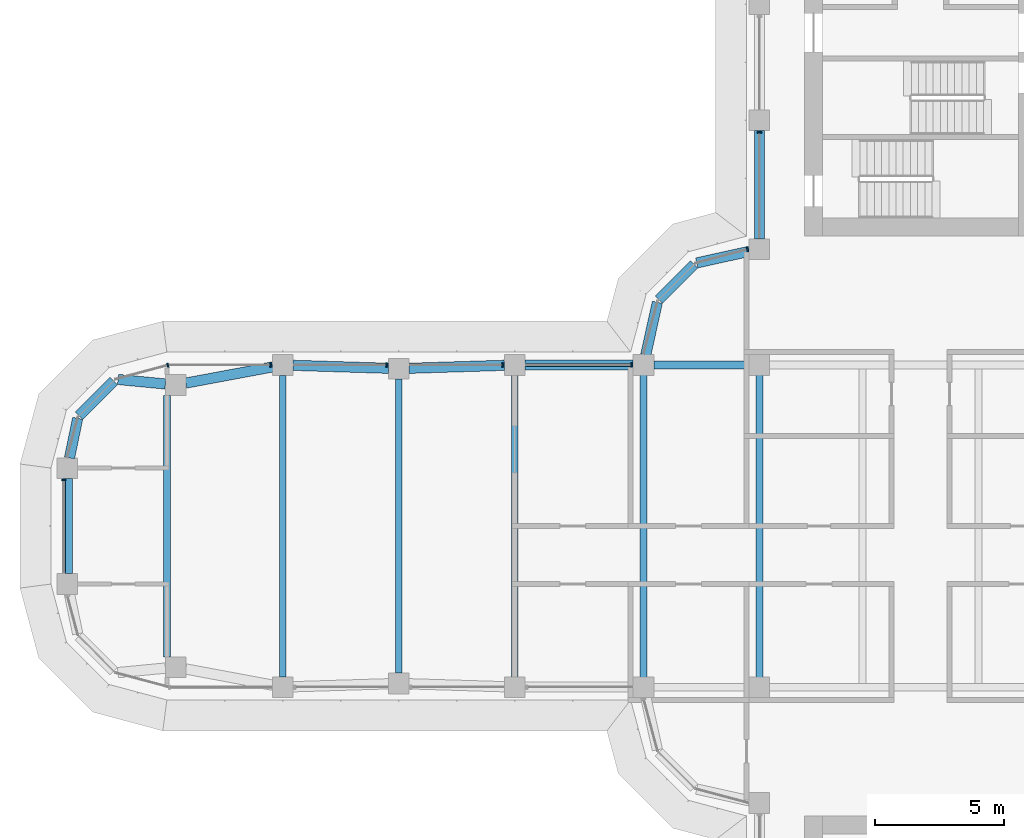
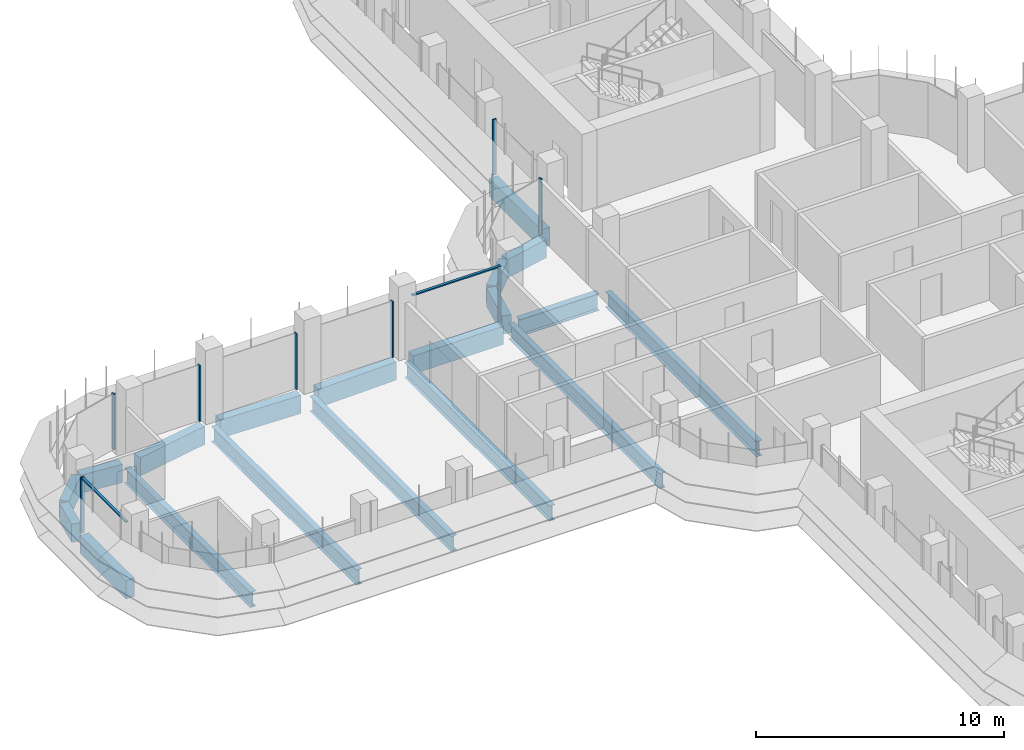
# One storey, part 6 of 20: 19 beams, 10 members, 5 elements without a shape of their own.
"""IFC4 building model written with IfcOpenShell, lengths in metres."""

from ifc_helpers import new_model, si_unit, direction, frame, origin, origin_2d, place, context, subcontext, project, spatial, polyline, rectangle, i_section, outline, extrude, source, transform, mapped, material, material_profile, profile_set, type_object, element, aggregate, save


model = new_model("IFC4")

# Units and contexts
model_context = context("Model", 3, precision=1e-05, world=origin(), true_north=direction((0.0, 1.0)))
body_context = subcontext(model_context, "Body", "Model", "MODEL_VIEW")
ifc_project = project(units=[si_unit("LENGTHUNIT", "METRE"), si_unit("AREAUNIT", "SQUARE_METRE"), si_unit("VOLUMEUNIT", "CUBIC_METRE"), si_unit("PLANEANGLEUNIT", "RADIAN"), si_unit("MASSUNIT", "GRAM", prefix="KILO")], contexts=[model_context])

# Site, building, storey
site_placement = place(None, origin())
site = spatial("IfcSite", under=ifc_project, at=site_placement, CompositionType="ELEMENT")
building_placement = place(site_placement, origin())
building = spatial("IfcBuilding", under=site, at=building_placement, Name="Zarbagh Exchange Tower", CompositionType="ELEMENT")
storey_placement = place(building_placement, frame((0.0, 0.0, 163.800048828125)))
storey = spatial("IfcBuildingStorey", under=building, at=storey_placement, Name="L39", CompositionType="ELEMENT", Elevation=163.800048828125)

# Beams
ifc_material_1 = material(Name="Steel ASTM A992 Gr 50", Category="steel")
ifc_material_profile_1 = material_profile(ifc_material_1, i_section(OverallWidth=0.26416015625, OverallDepth=0.749267578125, WebThickness=0.011962890625, FlangeThickness=0.015380859375, at=origin_2d()), Name="W30X90")
ifc_profile_set_1 = profile_set([ifc_material_profile_1], Name="Steel ASTM A992 Gr 50")
beam_type_1 = type_object("IfcBeamType", Name="Floor beam W30X90", PredefinedType="BEAM", material=ifc_profile_set_1)
for number, where, z_axis, x_axis, name in (
    (1, (-10.75, -6.10400390625, -0.524658203125), (0.0, 1.0, 0.0), (-1.0, 0.0, 0.0), "Steel floor beam"),
    (2, (-6.25, -6.10400390625, -0.524658203125), (0.0, 1.0, 0.0), (-1.0, 0.0, 0.0), "Steel floor beam"),
):
    element("IfcBeam", number, at=place(storey_placement, frame(where, z_axis=z_axis, x_axis=x_axis)), inside=storey, type_object=beam_type_1, Name=name, PredefinedType="BEAM", context=body_context, shape_type="SweptSolid", body=[
        extrude(i_section(OverallWidth=0.26416015625, OverallDepth=0.749267578125, WebThickness=0.011962890625, FlangeThickness=0.015380859375, at=origin_2d()), origin(), (0.0, 0.0, 1.0), 12.2080078125),
    ])
beam_1_placement = place(storey_placement, frame((-15.75, -5.85009765625, -0.524658203125), z_axis=(0.0, 1.0, 0.0), x_axis=(-1.0, 0.0, 0.0)))
element("IfcBeam", 3, at=beam_1_placement, inside=storey, type_object=beam_type_1, Name="Steel floor beam", PredefinedType="BEAM", context=body_context, shape_type="SweptSolid", body=[
    extrude(i_section(OverallWidth=0.26416015625, OverallDepth=0.749267578125, WebThickness=0.011962890625, FlangeThickness=0.015380859375, at=origin_2d()), origin(), (0.0, 0.0, 1.0), 11.7001953125),
])
beam_2_placement = place(storey_placement, frame((-20.25, -5.7099609375, -0.524658203125), z_axis=(0.0, 1.0, 0.0), x_axis=(-1.0, 0.0, 0.0)))
element("IfcBeam", 4, at=beam_2_placement, inside=storey, type_object=beam_type_1, Name="Steel floor beam", PredefinedType="BEAM", context=body_context, shape_type="SweptSolid", body=[
    extrude(i_section(OverallWidth=0.26416015625, OverallDepth=0.749267578125, WebThickness=0.011962890625, FlangeThickness=0.015380859375, at=origin_2d()), origin(), (0.0, 0.0, 1.0), 11.419921875),
])
beam_3_placement = place(storey_placement, frame((-24.75, -5.85009765625, -0.524658203125), z_axis=(0.0, 1.0, 0.0), x_axis=(-1.0, 0.0, 0.0)))
element("IfcBeam", 5, at=beam_3_placement, inside=storey, type_object=beam_type_1, Name="Steel floor beam", PredefinedType="BEAM", context=body_context, shape_type="SweptSolid", body=[
    extrude(i_section(OverallWidth=0.26416015625, OverallDepth=0.749267578125, WebThickness=0.011962890625, FlangeThickness=0.015380859375, at=origin_2d()), origin(), (0.0, 0.0, 1.0), 11.7001953125),
])
beam_4_placement = place(storey_placement, frame((-29.25, -5.074951171875, -0.524658203125), z_axis=(0.0, 1.0, 0.0), x_axis=(-1.0, 0.0, 0.0)))
element("IfcBeam", 6, at=beam_4_placement, inside=storey, type_object=beam_type_1, Name="Steel floor beam", PredefinedType="BEAM", context=body_context, shape_type="SweptSolid", body=[
    extrude(i_section(OverallWidth=0.26416015625, OverallDepth=0.749267578125, WebThickness=0.011962890625, FlangeThickness=0.015380859375, at=origin_2d()), origin(), (0.0, 0.0, 1.0), 10.14990234375),
])
ifc_material_profile_2 = material_profile(ifc_material_1, i_section(OverallWidth=0.2919921875, OverallDepth=0.835693359375, WebThickness=0.013916015625, FlangeThickness=0.018798828125, at=origin_2d()), Name="W33X118")
ifc_profile_set_2 = profile_set([ifc_material_profile_2], Name="Steel ASTM A992 Gr 50")
beam_type_2 = type_object("IfcBeamType", Name="Floor girder W33X118", PredefinedType="BEAM", material=ifc_profile_set_2)
beam_5_placement = place(storey_placement, frame((-10.35009765625, 6.25, -0.56787109375), z_axis=(1.0, 0.0, 0.0), x_axis=(0.0, 1.0, 0.0)))
element("IfcBeam", 7, at=beam_5_placement, inside=storey, type_object=beam_type_2, Name="Steel girder", PredefinedType="BEAM", context=body_context, shape_type="SweptSolid", body=[
    extrude(i_section(OverallWidth=0.2919921875, OverallDepth=0.835693359375, WebThickness=0.013916015625, FlangeThickness=0.018798828125, at=origin_2d()), origin(), (0.0, 0.0, 1.0), 3.7001953125),
])
ifc_material_2 = material(Name="Concrete C50/60", Category="concrete")
ifc_material_profile_3 = material_profile(ifc_material_2, rectangle(XDim=0.39990234375, YDim=0.89990234375, at=origin_2d()), Name="RC spandrel beam 400 x 900 C50/60")
ifc_profile_set_3 = profile_set([ifc_material_profile_3], Name="Concrete C50/60")
beam_type_3 = type_object("IfcBeamType", Name="RC spandrel beam 400 x 900 C50/60", PredefinedType="SPANDREL", material=ifc_profile_set_3)
beam_6_placement = place(storey_placement, frame((-33.110107421875, -1.85009765625, -0.60009765625), z_axis=(0.0, 1.0, 0.0), x_axis=(-1.0, 0.0, 0.0)))
element("IfcBeam", 8, at=beam_6_placement, inside=storey, type_object=beam_type_3, Name="RC spandrel beam", PredefinedType="SPANDREL", context=body_context, shape_type="SweptSolid", body=[
    extrude(rectangle(XDim=0.39990234375, YDim=0.89990234375, at=origin_2d()), origin(), (0.0, 0.0, 1.0), 3.7001953125),
])
beam_7_placement = place(storey_placement, frame((-33.029052734375, 2.6416015625, -0.60009765625), z_axis=(0.20216948151, 0.979350550491, 0.0), x_axis=(-0.979350550491, 0.20216948151, 0.0)))
element("IfcBeam", 9, at=beam_7_placement, inside=storey, type_object=beam_type_3, Name="RC spandrel beam", PredefinedType="SPANDREL", context=body_context, shape_type="SweptSolid", body=[
    extrude(rectangle(XDim=0.39990234375, YDim=0.89990234375, at=origin_2d()), origin(), (0.0, 0.0, 1.0), 1.573486328125),
])
beam_8_placement = place(storey_placement, frame((-32.656494140625, 4.283447265625, -0.60009765625), z_axis=(0.707106781187, 0.707106781187, 0.0), x_axis=(-0.707106781187, 0.707106781187, 0.0)))
element("IfcBeam", 10, at=beam_8_placement, inside=storey, type_object=beam_type_3, Name="RC spandrel beam", PredefinedType="SPANDREL", context=body_context, shape_type="SweptSolid", body=[
    extrude(rectangle(XDim=0.39990234375, YDim=0.89990234375, at=origin_2d()), origin(), (0.0, 0.0, 1.0), 1.9072265625),
])
beam_9_placement = place(storey_placement, frame((-31.147216796875, 5.689697265625, -0.60009765625), z_axis=(0.995435353267, -0.095438239015, 0.0), x_axis=(0.095438239015, 0.995435353267, 0.0)))
element("IfcBeam", 11, at=beam_9_placement, inside=storey, type_object=beam_type_3, Name="RC spandrel beam", PredefinedType="SPANDREL", context=body_context, shape_type="SweptSolid", body=[
    extrude(rectangle(XDim=0.39990234375, YDim=0.89990234375, at=origin_2d()), origin(), (0.0, 0.0, 1.0), 1.849609375),
])
beam_10_placement = place(storey_placement, frame((-28.514892578125, 5.54833984375, -0.60009765625), z_axis=(0.983069862768, 0.183231124313, 0.0), x_axis=(-0.183231124313, 0.983069862768, 0.0)))
element("IfcBeam", 12, at=beam_10_placement, inside=storey, type_object=beam_type_3, Name="RC spandrel beam", PredefinedType="SPANDREL", context=body_context, shape_type="SweptSolid", body=[
    extrude(rectangle(XDim=0.39990234375, YDim=0.89990234375, at=origin_2d()), origin(), (0.0, 0.0, 1.0), 3.4296875),
])
for number, where, z_axis, x_axis, name in (
    (13, (-24.35009765625, 6.237548828125, -0.60009765625), (0.999515416033, -0.031127690444, 0.0), (0.031127690444, 0.999515416033, 0.0), "RC spandrel beam"),
    (14, (-19.85009765625, 6.122314453125, -0.60009765625), (0.999515416033, 0.031127690444, 0.0), (-0.031127690444, 0.999515416033, 0.0), "RC spandrel beam"),
):
    element("IfcBeam", number, at=place(storey_placement, frame(where, z_axis=z_axis, x_axis=x_axis)), inside=storey, type_object=beam_type_3, Name=name, PredefinedType="SPANDREL", context=body_context, shape_type="SweptSolid", body=[
        extrude(rectangle(XDim=0.39990234375, YDim=0.89990234375, at=origin_2d()), origin(), (0.0, 0.0, 1.0), 3.701904296875),
    ])
beam_11_placement = place(storey_placement, frame((-15.35009765625, 6.25, -0.60009765625), z_axis=(1.0, 0.0, 0.0), x_axis=(0.0, 1.0, 0.0)))
element("IfcBeam", 15, at=beam_11_placement, inside=storey, type_object=beam_type_3, Name="RC spandrel beam", PredefinedType="SPANDREL", context=body_context, shape_type="SweptSolid", body=[
    extrude(rectangle(XDim=0.39990234375, YDim=0.89990234375, at=origin_2d()), origin(), (0.0, 0.0, 1.0), 4.2001953125),
])
beam_12_placement = place(storey_placement, frame((-10.66357421875, 6.640625, -0.60009765625), z_axis=(0.216041061437, 0.976384278741, 0.0), x_axis=(-0.976384278741, 0.216041061437, 0.0)))
element("IfcBeam", 16, at=beam_12_placement, inside=storey, type_object=beam_type_3, Name="RC spandrel beam", PredefinedType="SPANDREL", context=body_context, shape_type="SweptSolid", body=[
    extrude(rectangle(XDim=0.39990234375, YDim=0.89990234375, at=origin_2d()), origin(), (0.0, 0.0, 1.0), 2.0927734375),
])
beam_13_placement = place(storey_placement, frame((-10.15771484375, 8.782470703125, -0.60009765625), z_axis=(0.707106781187, 0.707106781187, 0.0), x_axis=(-0.707106781187, 0.707106781187, 0.0)))
element("IfcBeam", 17, at=beam_13_placement, inside=storey, type_object=beam_type_3, Name="RC spandrel beam", PredefinedType="SPANDREL", context=body_context, shape_type="SweptSolid", body=[
    extrude(rectangle(XDim=0.39990234375, YDim=0.89990234375, at=origin_2d()), origin(), (0.0, 0.0, 1.0), 1.94482421875),
])
beam_14_placement = place(storey_placement, frame((-8.68408203125, 10.21142578125, -0.60009765625), z_axis=(0.976384278741, 0.216041061437, 0.0), x_axis=(-0.216041061437, 0.976384278741, 0.0)))
element("IfcBeam", 18, at=beam_14_placement, inside=storey, type_object=beam_type_3, Name="RC spandrel beam", PredefinedType="SPANDREL", context=body_context, shape_type="SweptSolid", body=[
    extrude(rectangle(XDim=0.39990234375, YDim=0.89990234375, at=origin_2d()), origin(), (0.0, 0.0, 1.0), 2.0927734375),
])
beam_15_placement = place(storey_placement, frame((-6.25, 11.14990234375, -0.60009765625), z_axis=(0.0, 1.0, 0.0), x_axis=(-1.0, 0.0, 0.0)))
element("IfcBeam", 19, at=beam_15_placement, inside=storey, type_object=beam_type_3, Name="RC spandrel beam", PredefinedType="SPANDREL", context=body_context, shape_type="SweptSolid", body=[
    extrude(rectangle(XDim=0.39990234375, YDim=0.89990234375, at=origin_2d()), origin(), (0.0, 0.0, 1.0), 4.2001953125),
])

# Curtain wall, member
ifc_material_3 = material(Name="Anodised aluminium frame and glazing", Category="aluminium")
curtain_wall_type = type_object("IfcCurtainWallType", Name="CWB Ribbon glazing, upper zones", PredefinedType="NOTDEFINED", material=ifc_material_3)
curtain_wall_1_placement = place(storey_placement, origin())
curtain_wall_1 = element("IfcCurtainWall", 20, at=curtain_wall_1_placement, inside=storey, type_object=curtain_wall_type, Name="CWB28 curtain wall", PredefinedType="NOTDEFINED")
ifc_material_4 = material(Name="Anodised aluminium frame", Category="aluminium")
member_type_1 = type_object("IfcMemberType", Name="MUB Mullion, anodised aluminium frame", PredefinedType="MULLION", material=ifc_material_4)
shared_shape_1 = source(origin(), body_context, "Body", "SweptSolid", [
    extrude(outline(polyline([(0.0, -0.080078125), (0.06005859375, -0.080078125), (0.06005859375, 0.080078125), (0.0, 0.080078125), (0.0, -0.080078125)])), origin(), (0.0, 0.0, 1.0), 2.75),
])
placement = place(storey_placement, origin())
member_1 = element("IfcMember", 21, at=placement, type_object=member_type_1, Name="CWB28 mullion 4.1", PredefinedType="MULLION", context=body_context, shape_type="MappedRepresentation", body=[
    mapped(shared_shape_1, transform((-6.25, 15.31005859375, 0.0), x_axis=(0.0, -1.0, 0.0), y_axis=(1.0, 0.0, 0.0), z_axis=(0.0, 0.0, 1.0))),
])
aggregate(curtain_wall_1, [member_1])

curtain_wall_2_placement = place(storey_placement, origin())
curtain_wall_2 = element("IfcCurtainWall", 22, at=curtain_wall_2_placement, inside=storey, type_object=curtain_wall_type, Name="CWB29 curtain wall", PredefinedType="NOTDEFINED")
member_2 = element("IfcMember", 23, at=placement, type_object=member_type_1, Name="CWB29 mullion 1.1", PredefinedType="MULLION", context=body_context, shape_type="MappedRepresentation", body=[
    mapped(shared_shape_1, transform((-6.68994140625, 10.74853515625, 0.0), x_axis=(-0.965924289636, -0.258824779902, 0.0), y_axis=(0.258824779902, -0.965924289636, 0.0), z_axis=(0.0, 0.0, 1.0))),
])
aggregate(curtain_wall_2, [member_2])

# Curtain wall, members
curtain_wall_3_placement = place(storey_placement, origin())
curtain_wall_3 = element("IfcCurtainWall", 24, at=curtain_wall_3_placement, inside=storey, type_object=curtain_wall_type, Name="CWB32 curtain wall", PredefinedType="NOTDEFINED")
member_3 = element("IfcMember", 25, at=placement, type_object=member_type_1, Name="CWB32 mullion 1.1", PredefinedType="MULLION", context=body_context, shape_type="MappedRepresentation", body=[
    mapped(shared_shape_1, transform((-11.18994140625, 6.25, 0.0), x_axis=(-1.0, 0.0, 0.0), y_axis=(0.0, -1.0, 0.0), z_axis=(0.0, 0.0, 1.0))),
])
member_4 = element("IfcMember", 26, at=placement, type_object=member_type_1, Name="CWB32 mullion 2.1", PredefinedType="MULLION", context=body_context, shape_type="MappedRepresentation", body=[
    mapped(shared_shape_1, transform((-16.18994140625, 6.25, 0.0), x_axis=(-1.0, 0.0, 0.0), y_axis=(0.0, -1.0, 0.0), z_axis=(0.0, 0.0, 1.0))),
])
member_5 = element("IfcMember", 27, at=placement, type_object=member_type_1, Name="CWB32 mullion 3.1", PredefinedType="MULLION", context=body_context, shape_type="MappedRepresentation", body=[
    mapped(shared_shape_1, transform((-20.68994140625, 6.25, 0.0), x_axis=(-1.0, 0.0, 0.0), y_axis=(0.0, -1.0, 0.0), z_axis=(0.0, 0.0, 1.0))),
])
member_6 = element("IfcMember", 28, at=placement, type_object=member_type_1, Name="CWB32 mullion 4.1", PredefinedType="MULLION", context=body_context, shape_type="MappedRepresentation", body=[
    mapped(shared_shape_1, transform((-25.18994140625, 6.25, 0.0), x_axis=(-1.0, 0.0, 0.0), y_axis=(0.0, -1.0, 0.0), z_axis=(0.0, 0.0, 1.0))),
])

# Curtain wall, member
curtain_wall_4_placement = place(storey_placement, origin())
curtain_wall_4 = element("IfcCurtainWall", 29, at=curtain_wall_4_placement, inside=storey, type_object=curtain_wall_type, Name="CWB33 curtain wall", PredefinedType="NOTDEFINED")
member_7 = element("IfcMember", 30, at=placement, type_object=member_type_1, Name="CWB33 mullion 1.1", PredefinedType="MULLION", context=body_context, shape_type="MappedRepresentation", body=[
    mapped(shared_shape_1, transform((-29.18408203125, 6.25, 0.0), x_axis=(-0.965924289636, -0.258824779902, 0.0), y_axis=(0.258824779902, -0.965924289636, 0.0), z_axis=(0.0, 0.0, 1.0))),
])
aggregate(curtain_wall_4, [member_7])

curtain_wall_5_placement = place(storey_placement, origin())
curtain_wall_5 = element("IfcCurtainWall", 31, at=curtain_wall_5_placement, inside=storey, type_object=curtain_wall_type, Name="CWB36 curtain wall", PredefinedType="NOTDEFINED")
member_8 = element("IfcMember", 32, at=placement, type_object=member_type_1, Name="CWB36 mullion 1.1", PredefinedType="MULLION", context=body_context, shape_type="MappedRepresentation", body=[
    mapped(shared_shape_1, transform((-33.25, 1.81005859375, 0.0), x_axis=(0.0, -1.0, 0.0), y_axis=(1.0, 0.0, 0.0), z_axis=(0.0, 0.0, 1.0))),
])

# Member
member_type_2 = type_object("IfcMemberType", Name="TRB Transom, anodised aluminium frame", PredefinedType="USERDEFINED", material=ifc_material_4)
shared_shape_2 = source(origin(), body_context, "Body", "SweptSolid", [
    extrude(outline(polyline([(-0.06005859375, -0.06005859375), (0.0, -0.06005859375), (0.0, 0.06005859375), (-0.06005859375, 0.06005859375), (-0.06005859375, -0.06005859375)])), origin(), (0.0, 0.0, 1.0), 4.06005859375),
])
member_9 = element("IfcMember", 33, at=placement, type_object=member_type_2, Name="CWB32 transom 1.1", ObjectType="TRANSOM", PredefinedType="USERDEFINED", context=body_context, shape_type="MappedRepresentation", body=[
    mapped(shared_shape_2, transform((-11.25, 6.25, 2.75), x_axis=(0.0, 0.0, 1.0), y_axis=(0.0, 1.0, 0.0), z_axis=(-1.0, 0.0, 0.0))),
])

aggregate(curtain_wall_3, [member_3, member_9, member_4, member_5, member_6])

shared_shape_3 = source(origin(), body_context, "Body", "SweptSolid", [
    extrude(outline(polyline([(-0.06005859375, -0.06005859375), (0.0, -0.06005859375), (0.0, 0.06005859375), (-0.06005859375, 0.06005859375), (-0.06005859375, -0.06005859375)])), origin(), (0.0, 0.0, 1.0), 3.56005859375),
])
member_10 = element("IfcMember", 34, at=placement, type_object=member_type_2, Name="CWB36 transom 1.1", ObjectType="TRANSOM", PredefinedType="USERDEFINED", context=body_context, shape_type="MappedRepresentation", body=[
    mapped(shared_shape_3, transform((-33.25, 1.75, 2.75), x_axis=(0.0, 0.0, 1.0), y_axis=(-1.0, 0.0, 0.0), z_axis=(0.0, -1.0, 0.0))),
])

aggregate(curtain_wall_5, [member_8, member_10])

save(model, "model.ifc")
